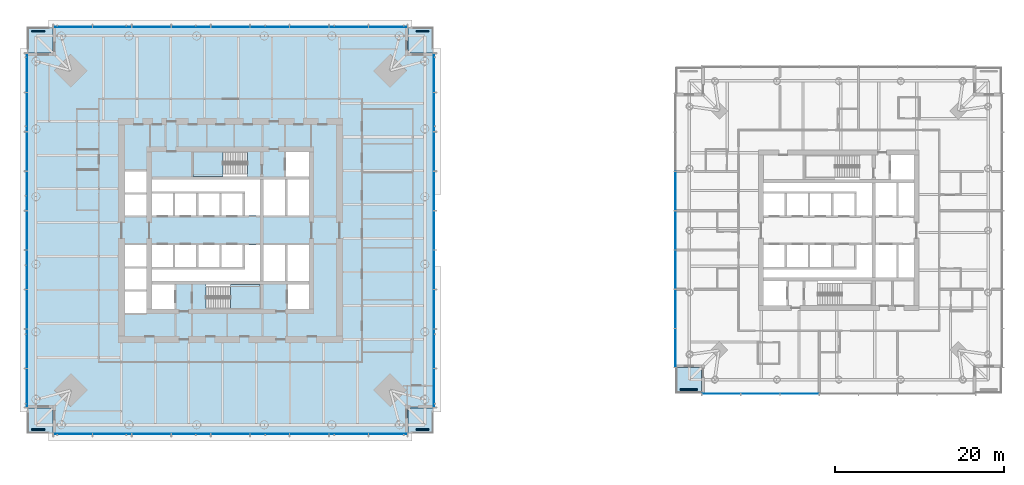
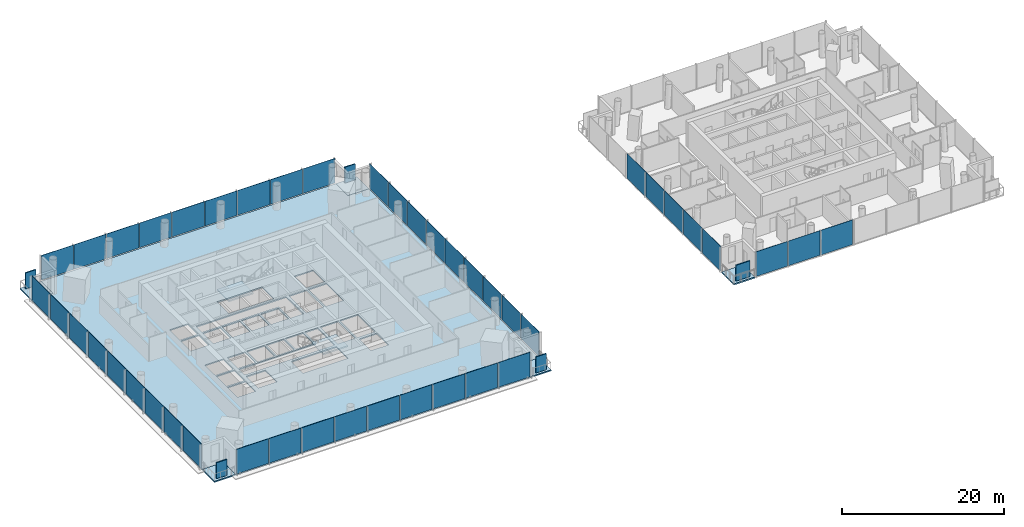
# One storey, part 7 of 26: 49 plates, 8 slabs, 8 elements without a shape of their own.
"""IFC4 building model written with IfcOpenShell, lengths in metres."""

from ifc_helpers import new_model, si_unit, direction, frame, origin, origin_2d, place, context, subcontext, project, spatial, polyline, rectangle, outline, extrude, material, layer, layer_set, type_object, element, aggregate, save


model = new_model("IFC4")

# Units and contexts
model_context = context("Model", 3, precision=1e-05, world=origin(), true_north=direction((0.0, 1.0)))
body_context = subcontext(model_context, "Body", "Model", "MODEL_VIEW")
ifc_project = project(units=[si_unit("LENGTHUNIT", "METRE"), si_unit("AREAUNIT", "SQUARE_METRE"), si_unit("VOLUMEUNIT", "CUBIC_METRE"), si_unit("PLANEANGLEUNIT", "RADIAN"), si_unit("MASSUNIT", "GRAM", prefix="KILO")], contexts=[model_context])

# Site, building, storey
site_placement = place(None, origin())
site = spatial("IfcSite", under=ifc_project, at=site_placement, CompositionType="ELEMENT")
building_placement = place(site_placement, origin())
building = spatial("IfcBuilding", under=site, at=building_placement, Name="Ostroluk Exchange", CompositionType="ELEMENT")
storey_placement = place(building_placement, frame((0.0, 0.0, 51.39990234375)))
storey = spatial("IfcBuildingStorey", under=building, at=storey_placement, Name="L12", CompositionType="ELEMENT", Elevation=51.39990234375)

# Curtain wall, plates
ifc_material_1 = material(Name="Laminated clear glass", Category="glass")
curtain_wall_type_1 = type_object("IfcCurtainWallType", Name="Hotel guest floor facade", PredefinedType="USERDEFINED", material=ifc_material_1)
curtain_wall_1_placement = place(storey_placement, origin())
curtain_wall_1 = element("IfcCurtainWall", 1, at=curtain_wall_1_placement, inside=storey, type_object=curtain_wall_type_1, Name="Hotel tower south facade L12", ObjectType="UNITISED CURTAIN WALL", PredefinedType="USERDEFINED")
ifc_material_2 = material(Name="Laminated clear glass", Category="glass")
ifc_layer_1 = layer(ifc_material_2, 0.0400390625)
ifc_layer_set_1 = layer_set([ifc_layer_1], Name="Acoustic laminated glazing 40")
plate_type_1 = type_object("IfcPlateType", Name="Acoustic laminated glazing 40", PredefinedType="CURTAIN_PANEL", material=ifc_layer_set_1)
plate_1_placement = place(storey_placement, frame((103.09130859375, 26.675048828125, 0.080078125), z_axis=(0.0, 0.0, 1.0), x_axis=(1.0, 0.0, 0.0)))
plate_1 = element("IfcPlate", 2, at=plate_1_placement, type_object=plate_type_1, Name="CW-H1 panel 1.1", PredefinedType="CURTAIN_PANEL", context=body_context, shape_type="SweptSolid", body=[
    extrude(rectangle(XDim=4.52294921875, YDim=0.0400390625, at=origin_2d()), origin(), (0.0, 0.0, 1.0), 3.719970703125),
])
plate_2_placement = place(storey_placement, frame((107.71435546875, 26.675048828125, 0.080078125), z_axis=(0.0, 0.0, 1.0), x_axis=(1.0, 0.0, 0.0)))
plate_2 = element("IfcPlate", 3, at=plate_2_placement, type_object=plate_type_1, Name="CW-H1 panel 2.1", PredefinedType="CURTAIN_PANEL", context=body_context, shape_type="SweptSolid", body=[
    extrude(rectangle(XDim=4.562744140625, YDim=0.0400390625, at=origin_2d()), origin(), (0.0, 0.0, 1.0), 3.719970703125),
])
plate_3_placement = place(storey_placement, frame((112.357177734375, 26.675048828125, 0.080078125), z_axis=(0.0, 0.0, 1.0), x_axis=(1.0, 0.0, 0.0)))
plate_3 = element("IfcPlate", 4, at=plate_3_placement, type_object=plate_type_1, Name="CW-H1 panel 3.1", PredefinedType="CURTAIN_PANEL", context=body_context, shape_type="SweptSolid", body=[
    extrude(rectangle(XDim=4.562744140625, YDim=0.0400390625, at=origin_2d()), origin(), (0.0, 0.0, 1.0), 3.719970703125),
])
aggregate(curtain_wall_1, [plate_1, plate_2, plate_3])

curtain_wall_2_placement = place(storey_placement, origin())
curtain_wall_2 = element("IfcCurtainWall", 5, at=curtain_wall_2_placement, inside=storey, type_object=curtain_wall_type_1, Name="Hotel tower west facade L12", ObjectType="UNITISED CURTAIN WALL", PredefinedType="USERDEFINED")
plate_4_placement = place(storey_placement, frame((97.675048828125, 50.642822265625, 0.080078125), z_axis=(0.0, 0.0, 1.0), x_axis=(0.0, -1.0, 0.0)))
plate_4 = element("IfcPlate", 6, at=plate_4_placement, type_object=plate_type_1, Name="CW-H1 panel 3.1", PredefinedType="CURTAIN_PANEL", context=body_context, shape_type="SweptSolid", body=[
    extrude(rectangle(XDim=4.562744140625, YDim=0.0400390625, at=origin_2d()), origin(), (0.0, 0.0, 1.0), 3.719970703125),
])
plate_5_placement = place(storey_placement, frame((97.675048828125, 46.0, 0.080078125), z_axis=(0.0, 0.0, 1.0), x_axis=(0.0, -1.0, 0.0)))
plate_5 = element("IfcPlate", 7, at=plate_5_placement, type_object=plate_type_1, Name="CW-H1 panel 4.1", PredefinedType="CURTAIN_PANEL", context=body_context, shape_type="SweptSolid", body=[
    extrude(rectangle(XDim=4.562744140625, YDim=0.0400390625, at=origin_2d()), origin(), (0.0, 0.0, 1.0), 3.719970703125),
])
plate_6_placement = place(storey_placement, frame((97.675048828125, 41.357177734375, 0.080078125), z_axis=(0.0, 0.0, 1.0), x_axis=(0.0, -1.0, 0.0)))
plate_6 = element("IfcPlate", 8, at=plate_6_placement, type_object=plate_type_1, Name="CW-H1 panel 5.1", PredefinedType="CURTAIN_PANEL", context=body_context, shape_type="SweptSolid", body=[
    extrude(rectangle(XDim=4.562744140625, YDim=0.0400390625, at=origin_2d()), origin(), (0.0, 0.0, 1.0), 3.719970703125),
])
plate_7_placement = place(storey_placement, frame((97.675048828125, 36.71435546875, 0.080078125), z_axis=(0.0, 0.0, 1.0), x_axis=(0.0, -1.0, 0.0)))
plate_7 = element("IfcPlate", 9, at=plate_7_placement, type_object=plate_type_1, Name="CW-H1 panel 6.1", PredefinedType="CURTAIN_PANEL", context=body_context, shape_type="SweptSolid", body=[
    extrude(rectangle(XDim=4.562744140625, YDim=0.0400390625, at=origin_2d()), origin(), (0.0, 0.0, 1.0), 3.719970703125),
])
plate_8_placement = place(storey_placement, frame((97.675048828125, 32.09130859375, 0.080078125), z_axis=(0.0, 0.0, 1.0), x_axis=(0.0, -1.0, 0.0)))
plate_8 = element("IfcPlate", 10, at=plate_8_placement, type_object=plate_type_1, Name="CW-H1 panel 7.1", PredefinedType="CURTAIN_PANEL", context=body_context, shape_type="SweptSolid", body=[
    extrude(rectangle(XDim=4.52294921875, YDim=0.0400390625, at=origin_2d()), origin(), (0.0, 0.0, 1.0), 3.719970703125),
])
aggregate(curtain_wall_2, [plate_4, plate_5, plate_6, plate_7, plate_8])

# Slabs
ifc_material_3 = material(Name="Concrete C35/45", Category="concrete")
ifc_layer_2 = layer(ifc_material_3, 0.179931640625)
ifc_layer_set_2 = layer_set([ifc_layer_2], Name="Balcony slab 180")
slab_type_1 = type_object("IfcSlabType", Name="Balcony slab 180", PredefinedType="USERDEFINED", material=ifc_layer_set_2)
slab_1_placement = place(storey_placement, frame((0.0, 0.0, -0.179931640625)))
element("IfcSlab", 11, at=slab_1_placement, inside=storey, type_object=slab_type_1, Name="Office tower SE corner balcony L12", ObjectType="BALCONY", PredefinedType="USERDEFINED", context=body_context, shape_type="SweptSolid", body=[
    extrude(outline(polyline([(66.0, 22.0), (69.0, 22.0), (69.0, 25.0), (66.0, 25.0), (66.0, 22.0)])), origin(), (0.0, 0.0, 1.0), 0.179931640625),
])
slab_2_placement = place(storey_placement, frame((0.0, 0.0, -0.179931640625)))
element("IfcSlab", 12, at=slab_2_placement, inside=storey, type_object=slab_type_1, Name="Office tower NE corner balcony L12", ObjectType="BALCONY", PredefinedType="USERDEFINED", context=body_context, shape_type="SweptSolid", body=[
    extrude(outline(polyline([(66.0, 67.0), (69.0, 67.0), (69.0, 70.0), (66.0, 70.0), (66.0, 67.0)])), origin(), (0.0, 0.0, 1.0), 0.179931640625),
])
slab_3_placement = place(storey_placement, frame((0.0, 0.0, -0.179931640625)))
element("IfcSlab", 13, at=slab_3_placement, inside=storey, type_object=slab_type_1, Name="Office tower NW corner balcony L12", ObjectType="BALCONY", PredefinedType="USERDEFINED", context=body_context, shape_type="SweptSolid", body=[
    extrude(outline(polyline([(21.0, 67.0), (24.0, 67.0), (24.0, 70.0), (21.0, 70.0), (21.0, 67.0)])), origin(), (0.0, 0.0, 1.0), 0.179931640625),
])
slab_4_placement = place(storey_placement, frame((0.0, 0.0, -0.179931640625)))
element("IfcSlab", 14, at=slab_4_placement, inside=storey, type_object=slab_type_1, Name="Office tower SW corner balcony L12", ObjectType="BALCONY", PredefinedType="USERDEFINED", context=body_context, shape_type="SweptSolid", body=[
    extrude(outline(polyline([(21.0, 22.0), (24.0, 22.0), (24.0, 25.0), (21.0, 25.0), (21.0, 22.0)])), origin(), (0.0, 0.0, 1.0), 0.179931640625),
])
ifc_material_4 = material(Name="Concrete C35/45", Category="concrete")
ifc_layer_3 = layer(ifc_material_4, 0.199951171875)
ifc_layer_set_3 = layer_set([ifc_layer_3], Name="Balcony slab 200")
slab_type_2 = type_object("IfcSlabType", Name="Balcony slab 200", PredefinedType="USERDEFINED", material=ifc_layer_set_3)
slab_5_placement = place(storey_placement, frame((0.0, 0.0, -0.199951171875)))
element("IfcSlab", 15, at=slab_5_placement, inside=storey, type_object=slab_type_2, Name="Hotel tower SW corner balcony L12", ObjectType="BALCONY", PredefinedType="USERDEFINED", context=body_context, shape_type="SweptSolid", body=[
    extrude(outline(polyline([(97.75, 26.75), (100.75, 26.75), (100.75, 29.75), (97.75, 29.75), (97.75, 26.75)])), origin(), (0.0, 0.0, 1.0), 0.199951171875),
])

# Plates
ifc_material_5 = material(Name="Steel S355 trellis with planting", Category="steel")
ifc_layer_4 = layer(ifc_material_5, 0.14990234375)
ifc_layer_set_4 = layer_set([ifc_layer_4], Name="Planted screen 150")
plate_type_2 = type_object("IfcPlateType", Name="Planted screen 150", PredefinedType="USERDEFINED", material=ifc_layer_set_4)
for number, where, z_axis, x_axis, name in (
    (16, (67.75, 22.425048828125, 0.000244140625), (0.0, 0.0, 1.0), (1.0, 0.0, 0.0), "Office tower SE planted screen L12"),
    (17, (67.75, 69.574951171875, 0.000244140625), (0.0, 0.0, 1.0), (1.0, 0.0, 0.0), "Office tower NE planted screen L12"),
    (18, (22.25, 69.574951171875, 0.000244140625), (0.0, 0.0, 1.0), (1.0, 0.0, 0.0), "Office tower NW planted screen L12"),
    (19, (22.25, 22.425048828125, 0.000244140625), (0.0, 0.0, 1.0), (1.0, 0.0, 0.0), "Office tower SW planted screen L12"),
):
    element("IfcPlate", number, at=place(storey_placement, frame(where, z_axis=z_axis, x_axis=x_axis)), inside=storey, type_object=plate_type_2, Name=name, ObjectType="PLANTED SCREEN", PredefinedType="USERDEFINED", context=body_context, shape_type="SweptSolid", body=[
        extrude(rectangle(XDim=1.5, YDim=0.14990234375, at=origin_2d()), origin(), (0.0, 0.0, 1.0), 2.39990234375),
    ])
plate_9_placement = place(storey_placement, frame((99.25, 27.175048828125, 0.000244140625), z_axis=(0.0, 0.0, 1.0), x_axis=(1.0, 0.0, 0.0)))
element("IfcPlate", 20, at=plate_9_placement, inside=storey, type_object=plate_type_2, Name="Hotel tower SW planted screen L12", ObjectType="PLANTED SCREEN", PredefinedType="USERDEFINED", context=body_context, shape_type="SweptSolid", body=[
    extrude(rectangle(XDim=2.0, YDim=0.14990234375, at=origin_2d()), origin(), (0.0, 0.0, 1.0), 2.39990234375),
])

# Stair, slab
ifc_material_6 = material(Name="Concrete C30/37", Category="concrete")
stair_type = type_object("IfcStairType", Name="Exit stair half turn 3800", PredefinedType="HALF_TURN_STAIR", material=ifc_material_6)
stair_1_placement = place(storey_placement, origin())
stair_1 = element("IfcStair", 21, at=stair_1_placement, inside=storey, type_object=stair_type, Name="Stair T1-S1 L12", PredefinedType="HALF_TURN_STAIR")
ifc_material_7 = material(Name="Concrete C30/37", Category="concrete")
ifc_layer_5 = layer(ifc_material_7, 0.199951171875)
ifc_layer_set_5 = layer_set([ifc_layer_5], Name="Stair landing 200")
slab_type_3 = type_object("IfcSlabType", Name="Stair landing 200", PredefinedType="LANDING", material=ifc_layer_set_5)
slab_6_placement = place(storey_placement, frame((0.0, 0.0, 1.7001953125)))
slab_6 = element("IfcSlab", 22, at=slab_6_placement, type_object=slab_type_3, Name="T1-S1 landing 1", PredefinedType="LANDING", context=body_context, shape_type="SweptSolid", body=[
    extrude(outline(polyline([(45.0, 36.699951171875), (45.0, 39.60009765625), (48.530029296875, 39.60009765625), (48.530029296875, 36.699951171875), (45.0, 36.699951171875)])), origin(), (0.0, 0.0, 1.0), 0.199951171875),
])
aggregate(stair_1, [slab_6])

stair_2_placement = place(storey_placement, origin())
stair_2 = element("IfcStair", 23, at=stair_2_placement, inside=storey, type_object=stair_type, Name="Stair T1-S2 L12", PredefinedType="HALF_TURN_STAIR")
slab_7_placement = place(storey_placement, frame((0.0, 0.0, 1.7001953125)))
slab_7 = element("IfcSlab", 24, at=slab_7_placement, type_object=slab_type_3, Name="T1-S2 landing 1", PredefinedType="LANDING", context=body_context, shape_type="SweptSolid", body=[
    extrude(outline(polyline([(44.1298828125, 52.39990234375), (44.1298828125, 55.300048828125), (40.60009765625, 55.300048828125), (40.60009765625, 52.39990234375), (44.1298828125, 52.39990234375)])), origin(), (0.0, 0.0, 1.0), 0.199951171875),
])
aggregate(stair_2, [slab_7])

# Slab
ifc_material_8 = material(Name="Concrete C35/45", Category="concrete")
ifc_layer_6 = layer(ifc_material_8, 0.179931640625)
ifc_layer_set_6 = layer_set([ifc_layer_6], Name="Tower floor slab 180 composite")
slab_type_4 = type_object("IfcSlabType", Name="Tower floor slab 180 composite", PredefinedType="FLOOR", material=ifc_layer_set_6)
slab_8_placement = place(storey_placement, frame((0.0, 0.0, -0.179931640625)))
element("IfcSlab", 25, at=slab_8_placement, inside=storey, type_object=slab_type_4, Name="Office tower floor slab L12", PredefinedType="FLOOR", context=body_context, shape_type="SweptSolid", body=[
    extrude(outline(polyline([(24.0, 22.0), (66.0, 22.0), (66.0, 25.0), (69.0, 25.0), (69.0, 67.0), (66.0, 67.0), (66.0, 70.0), (24.0, 70.0), (24.0, 67.0), (21.0, 67.0), (21.0, 25.0), (24.0, 25.0), (24.0, 22.0)]), holes=[polyline([(35.699951171875, 36.699951171875), (38.39990234375, 36.699951171875), (38.39990234375, 39.60009765625), (35.699951171875, 39.60009765625), (35.699951171875, 36.699951171875)]), polyline([(42.110107421875, 36.699951171875), (48.530029296875, 36.699951171875), (48.530029296875, 39.60009765625), (42.110107421875, 39.60009765625), (42.110107421875, 36.699951171875)]), polyline([(51.800048828125, 36.699951171875), (54.300048828125, 36.699951171875), (54.300048828125, 39.60009765625), (51.800048828125, 39.60009765625), (51.800048828125, 36.699951171875)]), polyline([(40.60009765625, 52.39990234375), (47.02001953125, 52.39990234375), (47.02001953125, 55.300048828125), (40.60009765625, 55.300048828125), (40.60009765625, 52.39990234375)]), polyline([(51.60009765625, 52.39990234375), (54.300048828125, 52.39990234375), (54.300048828125, 55.300048828125), (51.60009765625, 55.300048828125), (51.60009765625, 52.39990234375)]), polyline([(35.699951171875, 47.75), (38.199951171875, 47.75), (38.199951171875, 50.35009765625), (35.699951171875, 50.35009765625), (35.699951171875, 47.75)]), polyline([(38.449951171875, 47.75), (40.949951171875, 47.75), (40.949951171875, 50.35009765625), (38.449951171875, 50.35009765625), (38.449951171875, 47.75)]), polyline([(41.199951171875, 47.75), (43.699951171875, 47.75), (43.699951171875, 50.35009765625), (41.199951171875, 50.35009765625), (41.199951171875, 47.75)]), polyline([(43.949951171875, 47.75), (46.449951171875, 47.75), (46.449951171875, 50.35009765625), (43.949951171875, 50.35009765625), (43.949951171875, 47.75)]), polyline([(35.699951171875, 41.64990234375), (38.199951171875, 41.64990234375), (38.199951171875, 44.25), (35.699951171875, 44.25), (35.699951171875, 41.64990234375)]), polyline([(38.449951171875, 41.64990234375), (40.949951171875, 41.64990234375), (40.949951171875, 44.25), (38.449951171875, 44.25), (38.449951171875, 41.64990234375)]), polyline([(41.199951171875, 41.64990234375), (43.699951171875, 41.64990234375), (43.699951171875, 44.25), (41.199951171875, 44.25), (41.199951171875, 41.64990234375)]), polyline([(43.949951171875, 41.64990234375), (46.449951171875, 41.64990234375), (46.449951171875, 44.25), (43.949951171875, 44.25), (43.949951171875, 41.64990234375)]), polyline([(48.929931640625, 47.75), (51.489990234375, 47.75), (51.489990234375, 52.0), (48.929931640625, 52.0), (48.929931640625, 47.75)]), polyline([(51.739990234375, 47.75), (54.300048828125, 47.75), (54.300048828125, 52.0), (51.739990234375, 52.0), (51.739990234375, 47.75)]), polyline([(48.929931640625, 40.0), (51.489990234375, 40.0), (51.489990234375, 44.25), (48.929931640625, 44.25), (48.929931640625, 40.0)]), polyline([(51.739990234375, 40.0), (54.300048828125, 40.0), (54.300048828125, 44.25), (51.739990234375, 44.25), (51.739990234375, 40.0)]), polyline([(48.530029296875, 52.0), (48.530029296875, 47.75), (46.699951171875, 47.75), (46.699951171875, 50.60009765625), (35.699951171875, 50.60009765625), (35.699951171875, 52.0), (48.530029296875, 52.0)]), polyline([(35.699951171875, 40.0), (35.699951171875, 41.39990234375), (46.699951171875, 41.39990234375), (46.699951171875, 44.25), (48.530029296875, 44.25), (48.530029296875, 40.0), (35.699951171875, 40.0)]), polyline([(32.5, 36.25), (35.10009765625, 36.25), (35.10009765625, 38.75), (32.5, 38.75), (32.5, 36.25)]), polyline([(32.5, 39.0), (35.10009765625, 39.0), (35.10009765625, 41.5), (32.5, 41.5), (32.5, 39.0)]), polyline([(32.5, 41.75), (35.10009765625, 41.75), (35.10009765625, 44.25), (32.5, 44.25), (32.5, 41.75)]), polyline([(32.5, 47.75), (35.10009765625, 47.75), (35.10009765625, 50.25), (32.5, 50.25), (32.5, 47.75)]), polyline([(32.5, 50.5), (35.10009765625, 50.5), (35.10009765625, 53.0), (32.5, 53.0), (32.5, 50.5)])]), origin(), (0.0, 0.0, 1.0), 0.179931640625),
])

# Curtain wall, plates
ifc_material_9 = material(Name="Laminated clear glass", Category="glass")
curtain_wall_type_2 = type_object("IfcCurtainWallType", Name="Office tower facade", PredefinedType="USERDEFINED", material=ifc_material_9)
curtain_wall_3_placement = place(storey_placement, origin())
curtain_wall_3 = element("IfcCurtainWall", 26, at=curtain_wall_3_placement, inside=storey, type_object=curtain_wall_type_2, Name="Office tower south facade L12", ObjectType="UNITISED CURTAIN WALL", PredefinedType="USERDEFINED")
ifc_material_10 = material(Name="Laminated clear glass", Category="glass")
ifc_layer_7 = layer(ifc_material_10, 0.0439453125)
ifc_layer_set_7 = layer_set([ifc_layer_7], Name="Triple laminated clear glazing 44")
plate_type_3 = type_object("IfcPlateType", Name="Triple laminated clear glazing 44", PredefinedType="CURTAIN_PANEL", material=ifc_layer_set_7)
plate_10_placement = place(storey_placement, frame((26.353271484375, 21.925048828125, 0.080078125), z_axis=(0.0, 0.0, 1.0), x_axis=(1.0, 0.0, 0.0)))
plate_10 = element("IfcPlate", 27, at=plate_10_placement, type_object=plate_type_3, Name="CW-O1 panel 1.1", PredefinedType="CURTAIN_PANEL", context=body_context, shape_type="SweptSolid", body=[
    extrude(rectangle(XDim=4.546630859375, YDim=0.0439453125, at=origin_2d()), origin(), (0.0, 0.0, 1.0), 3.719970703125),
])
plate_11_placement = place(storey_placement, frame((31.0, 21.925048828125, 0.080078125), z_axis=(0.0, 0.0, 1.0), x_axis=(1.0, 0.0, 0.0)))
plate_11 = element("IfcPlate", 28, at=plate_11_placement, type_object=plate_type_3, Name="CW-O1 panel 2.1", PredefinedType="CURTAIN_PANEL", context=body_context, shape_type="SweptSolid", body=[
    extrude(rectangle(XDim=4.586669921875, YDim=0.0439453125, at=origin_2d()), origin(), (0.0, 0.0, 1.0), 3.719970703125),
])
plate_12_placement = place(storey_placement, frame((35.666748046875, 21.925048828125, 0.080078125), z_axis=(0.0, 0.0, 1.0), x_axis=(1.0, 0.0, 0.0)))
plate_12 = element("IfcPlate", 29, at=plate_12_placement, type_object=plate_type_3, Name="CW-O1 panel 3.1", PredefinedType="CURTAIN_PANEL", context=body_context, shape_type="SweptSolid", body=[
    extrude(rectangle(XDim=4.586669921875, YDim=0.0439453125, at=origin_2d()), origin(), (0.0, 0.0, 1.0), 3.719970703125),
])
plate_13_placement = place(storey_placement, frame((40.333251953125, 21.925048828125, 0.080078125), z_axis=(0.0, 0.0, 1.0), x_axis=(1.0, 0.0, 0.0)))
plate_13 = element("IfcPlate", 30, at=plate_13_placement, type_object=plate_type_3, Name="CW-O1 panel 4.1", PredefinedType="CURTAIN_PANEL", context=body_context, shape_type="SweptSolid", body=[
    extrude(rectangle(XDim=4.586669921875, YDim=0.0439453125, at=origin_2d()), origin(), (0.0, 0.0, 1.0), 3.719970703125),
])
plate_14_placement = place(storey_placement, frame((45.0, 21.925048828125, 0.080078125), z_axis=(0.0, 0.0, 1.0), x_axis=(1.0, 0.0, 0.0)))
plate_14 = element("IfcPlate", 31, at=plate_14_placement, type_object=plate_type_3, Name="CW-O1 panel 5.1", PredefinedType="CURTAIN_PANEL", context=body_context, shape_type="SweptSolid", body=[
    extrude(rectangle(XDim=4.586669921875, YDim=0.0439453125, at=origin_2d()), origin(), (0.0, 0.0, 1.0), 3.719970703125),
])
plate_15_placement = place(storey_placement, frame((49.666748046875, 21.925048828125, 0.080078125), z_axis=(0.0, 0.0, 1.0), x_axis=(1.0, 0.0, 0.0)))
plate_15 = element("IfcPlate", 32, at=plate_15_placement, type_object=plate_type_3, Name="CW-O1 panel 6.1", PredefinedType="CURTAIN_PANEL", context=body_context, shape_type="SweptSolid", body=[
    extrude(rectangle(XDim=4.586669921875, YDim=0.0439453125, at=origin_2d()), origin(), (0.0, 0.0, 1.0), 3.719970703125),
])
plate_16_placement = place(storey_placement, frame((54.333251953125, 21.925048828125, 0.080078125), z_axis=(0.0, 0.0, 1.0), x_axis=(1.0, 0.0, 0.0)))
plate_16 = element("IfcPlate", 33, at=plate_16_placement, type_object=plate_type_3, Name="CW-O1 panel 7.1", PredefinedType="CURTAIN_PANEL", context=body_context, shape_type="SweptSolid", body=[
    extrude(rectangle(XDim=4.586669921875, YDim=0.0439453125, at=origin_2d()), origin(), (0.0, 0.0, 1.0), 3.719970703125),
])
plate_17_placement = place(storey_placement, frame((59.0, 21.925048828125, 0.080078125), z_axis=(0.0, 0.0, 1.0), x_axis=(1.0, 0.0, 0.0)))
plate_17 = element("IfcPlate", 34, at=plate_17_placement, type_object=plate_type_3, Name="CW-O1 panel 8.1", PredefinedType="CURTAIN_PANEL", context=body_context, shape_type="SweptSolid", body=[
    extrude(rectangle(XDim=4.586669921875, YDim=0.0439453125, at=origin_2d()), origin(), (0.0, 0.0, 1.0), 3.719970703125),
])
plate_18_placement = place(storey_placement, frame((63.646728515625, 21.925048828125, 0.080078125), z_axis=(0.0, 0.0, 1.0), x_axis=(1.0, 0.0, 0.0)))
plate_18 = element("IfcPlate", 35, at=plate_18_placement, type_object=plate_type_3, Name="CW-O1 panel 9.1", PredefinedType="CURTAIN_PANEL", context=body_context, shape_type="SweptSolid", body=[
    extrude(rectangle(XDim=4.546630859375, YDim=0.0439453125, at=origin_2d()), origin(), (0.0, 0.0, 1.0), 3.719970703125),
])
aggregate(curtain_wall_3, [plate_10, plate_11, plate_12, plate_13, plate_14, plate_15, plate_16, plate_17, plate_18])

curtain_wall_4_placement = place(storey_placement, origin())
curtain_wall_4 = element("IfcCurtainWall", 36, at=curtain_wall_4_placement, inside=storey, type_object=curtain_wall_type_2, Name="Office tower east facade L12", ObjectType="UNITISED CURTAIN WALL", PredefinedType="USERDEFINED")
plate_19_placement = place(storey_placement, frame((69.074951171875, 27.353271484375, 0.080078125), z_axis=(0.0, 0.0, 1.0), x_axis=(0.0, 1.0, 0.0)))
plate_19 = element("IfcPlate", 37, at=plate_19_placement, type_object=plate_type_3, Name="CW-O1 panel 1.1", PredefinedType="CURTAIN_PANEL", context=body_context, shape_type="SweptSolid", body=[
    extrude(rectangle(XDim=4.546630859375, YDim=0.0439453125, at=origin_2d()), origin(), (0.0, 0.0, 1.0), 3.719970703125),
])
plate_20_placement = place(storey_placement, frame((69.074951171875, 32.0, 0.080078125), z_axis=(0.0, 0.0, 1.0), x_axis=(0.0, 1.0, 0.0)))
plate_20 = element("IfcPlate", 38, at=plate_20_placement, type_object=plate_type_3, Name="CW-O1 panel 2.1", PredefinedType="CURTAIN_PANEL", context=body_context, shape_type="SweptSolid", body=[
    extrude(rectangle(XDim=4.586669921875, YDim=0.0439453125, at=origin_2d()), origin(), (0.0, 0.0, 1.0), 3.719970703125),
])
plate_21_placement = place(storey_placement, frame((69.074951171875, 36.666748046875, 0.080078125), z_axis=(0.0, 0.0, 1.0), x_axis=(0.0, 1.0, 0.0)))
plate_21 = element("IfcPlate", 39, at=plate_21_placement, type_object=plate_type_3, Name="CW-O1 panel 3.1", PredefinedType="CURTAIN_PANEL", context=body_context, shape_type="SweptSolid", body=[
    extrude(rectangle(XDim=4.586669921875, YDim=0.0439453125, at=origin_2d()), origin(), (0.0, 0.0, 1.0), 3.719970703125),
])
plate_22_placement = place(storey_placement, frame((69.074951171875, 41.333251953125, 0.080078125), z_axis=(0.0, 0.0, 1.0), x_axis=(0.0, 1.0, 0.0)))
plate_22 = element("IfcPlate", 40, at=plate_22_placement, type_object=plate_type_3, Name="CW-O1 panel 4.1", PredefinedType="CURTAIN_PANEL", context=body_context, shape_type="SweptSolid", body=[
    extrude(rectangle(XDim=4.586669921875, YDim=0.0439453125, at=origin_2d()), origin(), (0.0, 0.0, 1.0), 3.719970703125),
])
plate_23_placement = place(storey_placement, frame((69.074951171875, 46.0, 0.080078125), z_axis=(0.0, 0.0, 1.0), x_axis=(0.0, 1.0, 0.0)))
plate_23 = element("IfcPlate", 41, at=plate_23_placement, type_object=plate_type_3, Name="CW-O1 panel 5.1", PredefinedType="CURTAIN_PANEL", context=body_context, shape_type="SweptSolid", body=[
    extrude(rectangle(XDim=4.586669921875, YDim=0.0439453125, at=origin_2d()), origin(), (0.0, 0.0, 1.0), 3.719970703125),
])
plate_24_placement = place(storey_placement, frame((69.074951171875, 50.666748046875, 0.080078125), z_axis=(0.0, 0.0, 1.0), x_axis=(0.0, 1.0, 0.0)))
plate_24 = element("IfcPlate", 42, at=plate_24_placement, type_object=plate_type_3, Name="CW-O1 panel 6.1", PredefinedType="CURTAIN_PANEL", context=body_context, shape_type="SweptSolid", body=[
    extrude(rectangle(XDim=4.586669921875, YDim=0.0439453125, at=origin_2d()), origin(), (0.0, 0.0, 1.0), 3.719970703125),
])
plate_25_placement = place(storey_placement, frame((69.074951171875, 55.333251953125, 0.080078125), z_axis=(0.0, 0.0, 1.0), x_axis=(0.0, 1.0, 0.0)))
plate_25 = element("IfcPlate", 43, at=plate_25_placement, type_object=plate_type_3, Name="CW-O1 panel 7.1", PredefinedType="CURTAIN_PANEL", context=body_context, shape_type="SweptSolid", body=[
    extrude(rectangle(XDim=4.586669921875, YDim=0.0439453125, at=origin_2d()), origin(), (0.0, 0.0, 1.0), 3.719970703125),
])
plate_26_placement = place(storey_placement, frame((69.074951171875, 60.0, 0.080078125), z_axis=(0.0, 0.0, 1.0), x_axis=(0.0, 1.0, 0.0)))
plate_26 = element("IfcPlate", 44, at=plate_26_placement, type_object=plate_type_3, Name="CW-O1 panel 8.1", PredefinedType="CURTAIN_PANEL", context=body_context, shape_type="SweptSolid", body=[
    extrude(rectangle(XDim=4.586669921875, YDim=0.0439453125, at=origin_2d()), origin(), (0.0, 0.0, 1.0), 3.719970703125),
])
plate_27_placement = place(storey_placement, frame((69.074951171875, 64.646728515625, 0.080078125), z_axis=(0.0, 0.0, 1.0), x_axis=(0.0, 1.0, 0.0)))
plate_27 = element("IfcPlate", 45, at=plate_27_placement, type_object=plate_type_3, Name="CW-O1 panel 9.1", PredefinedType="CURTAIN_PANEL", context=body_context, shape_type="SweptSolid", body=[
    extrude(rectangle(XDim=4.546630859375, YDim=0.0439453125, at=origin_2d()), origin(), (0.0, 0.0, 1.0), 3.719970703125),
])
aggregate(curtain_wall_4, [plate_19, plate_20, plate_21, plate_22, plate_23, plate_24, plate_25, plate_26, plate_27])

curtain_wall_5_placement = place(storey_placement, origin())
curtain_wall_5 = element("IfcCurtainWall", 46, at=curtain_wall_5_placement, inside=storey, type_object=curtain_wall_type_2, Name="Office tower north facade L12", ObjectType="UNITISED CURTAIN WALL", PredefinedType="USERDEFINED")
plate_28_placement = place(storey_placement, frame((63.646728515625, 70.074951171875, 0.080078125), z_axis=(0.0, 0.0, 1.0), x_axis=(-1.0, 0.0, 0.0)))
plate_28 = element("IfcPlate", 47, at=plate_28_placement, type_object=plate_type_3, Name="CW-O1 panel 1.1", PredefinedType="CURTAIN_PANEL", context=body_context, shape_type="SweptSolid", body=[
    extrude(rectangle(XDim=4.546630859375, YDim=0.0439453125, at=origin_2d()), origin(), (0.0, 0.0, 1.0), 3.719970703125),
])
plate_29_placement = place(storey_placement, frame((59.0, 70.074951171875, 0.080078125), z_axis=(0.0, 0.0, 1.0), x_axis=(-1.0, 0.0, 0.0)))
plate_29 = element("IfcPlate", 48, at=plate_29_placement, type_object=plate_type_3, Name="CW-O1 panel 2.1", PredefinedType="CURTAIN_PANEL", context=body_context, shape_type="SweptSolid", body=[
    extrude(rectangle(XDim=4.586669921875, YDim=0.0439453125, at=origin_2d()), origin(), (0.0, 0.0, 1.0), 3.719970703125),
])
plate_30_placement = place(storey_placement, frame((54.333251953125, 70.074951171875, 0.080078125), z_axis=(0.0, 0.0, 1.0), x_axis=(-1.0, 0.0, 0.0)))
plate_30 = element("IfcPlate", 49, at=plate_30_placement, type_object=plate_type_3, Name="CW-O1 panel 3.1", PredefinedType="CURTAIN_PANEL", context=body_context, shape_type="SweptSolid", body=[
    extrude(rectangle(XDim=4.586669921875, YDim=0.0439453125, at=origin_2d()), origin(), (0.0, 0.0, 1.0), 3.719970703125),
])
plate_31_placement = place(storey_placement, frame((49.666748046875, 70.074951171875, 0.080078125), z_axis=(0.0, 0.0, 1.0), x_axis=(-1.0, 0.0, 0.0)))
plate_31 = element("IfcPlate", 50, at=plate_31_placement, type_object=plate_type_3, Name="CW-O1 panel 4.1", PredefinedType="CURTAIN_PANEL", context=body_context, shape_type="SweptSolid", body=[
    extrude(rectangle(XDim=4.586669921875, YDim=0.0439453125, at=origin_2d()), origin(), (0.0, 0.0, 1.0), 3.719970703125),
])
plate_32_placement = place(storey_placement, frame((45.0, 70.074951171875, 0.080078125), z_axis=(0.0, 0.0, 1.0), x_axis=(-1.0, 0.0, 0.0)))
plate_32 = element("IfcPlate", 51, at=plate_32_placement, type_object=plate_type_3, Name="CW-O1 panel 5.1", PredefinedType="CURTAIN_PANEL", context=body_context, shape_type="SweptSolid", body=[
    extrude(rectangle(XDim=4.586669921875, YDim=0.0439453125, at=origin_2d()), origin(), (0.0, 0.0, 1.0), 3.719970703125),
])
plate_33_placement = place(storey_placement, frame((40.333251953125, 70.074951171875, 0.080078125), z_axis=(0.0, 0.0, 1.0), x_axis=(-1.0, 0.0, 0.0)))
plate_33 = element("IfcPlate", 52, at=plate_33_placement, type_object=plate_type_3, Name="CW-O1 panel 6.1", PredefinedType="CURTAIN_PANEL", context=body_context, shape_type="SweptSolid", body=[
    extrude(rectangle(XDim=4.586669921875, YDim=0.0439453125, at=origin_2d()), origin(), (0.0, 0.0, 1.0), 3.719970703125),
])
plate_34_placement = place(storey_placement, frame((35.666748046875, 70.074951171875, 0.080078125), z_axis=(0.0, 0.0, 1.0), x_axis=(-1.0, 0.0, 0.0)))
plate_34 = element("IfcPlate", 53, at=plate_34_placement, type_object=plate_type_3, Name="CW-O1 panel 7.1", PredefinedType="CURTAIN_PANEL", context=body_context, shape_type="SweptSolid", body=[
    extrude(rectangle(XDim=4.586669921875, YDim=0.0439453125, at=origin_2d()), origin(), (0.0, 0.0, 1.0), 3.719970703125),
])
plate_35_placement = place(storey_placement, frame((31.0, 70.074951171875, 0.080078125), z_axis=(0.0, 0.0, 1.0), x_axis=(-1.0, 0.0, 0.0)))
plate_35 = element("IfcPlate", 54, at=plate_35_placement, type_object=plate_type_3, Name="CW-O1 panel 8.1", PredefinedType="CURTAIN_PANEL", context=body_context, shape_type="SweptSolid", body=[
    extrude(rectangle(XDim=4.586669921875, YDim=0.0439453125, at=origin_2d()), origin(), (0.0, 0.0, 1.0), 3.719970703125),
])
plate_36_placement = place(storey_placement, frame((26.353271484375, 70.074951171875, 0.080078125), z_axis=(0.0, 0.0, 1.0), x_axis=(-1.0, 0.0, 0.0)))
plate_36 = element("IfcPlate", 55, at=plate_36_placement, type_object=plate_type_3, Name="CW-O1 panel 9.1", PredefinedType="CURTAIN_PANEL", context=body_context, shape_type="SweptSolid", body=[
    extrude(rectangle(XDim=4.546630859375, YDim=0.0439453125, at=origin_2d()), origin(), (0.0, 0.0, 1.0), 3.719970703125),
])
aggregate(curtain_wall_5, [plate_28, plate_29, plate_30, plate_31, plate_32, plate_33, plate_34, plate_35, plate_36])

curtain_wall_6_placement = place(storey_placement, origin())
curtain_wall_6 = element("IfcCurtainWall", 56, at=curtain_wall_6_placement, inside=storey, type_object=curtain_wall_type_2, Name="Office tower west facade L12", ObjectType="UNITISED CURTAIN WALL", PredefinedType="USERDEFINED")
plate_37_placement = place(storey_placement, frame((20.925048828125, 64.646728515625, 0.080078125), z_axis=(0.0, 0.0, 1.0), x_axis=(0.0, -1.0, 0.0)))
plate_37 = element("IfcPlate", 57, at=plate_37_placement, type_object=plate_type_3, Name="CW-O1 panel 1.1", PredefinedType="CURTAIN_PANEL", context=body_context, shape_type="SweptSolid", body=[
    extrude(rectangle(XDim=4.546630859375, YDim=0.0439453125, at=origin_2d()), origin(), (0.0, 0.0, 1.0), 3.719970703125),
])
plate_38_placement = place(storey_placement, frame((20.925048828125, 60.0, 0.080078125), z_axis=(0.0, 0.0, 1.0), x_axis=(0.0, -1.0, 0.0)))
plate_38 = element("IfcPlate", 58, at=plate_38_placement, type_object=plate_type_3, Name="CW-O1 panel 2.1", PredefinedType="CURTAIN_PANEL", context=body_context, shape_type="SweptSolid", body=[
    extrude(rectangle(XDim=4.586669921875, YDim=0.0439453125, at=origin_2d()), origin(), (0.0, 0.0, 1.0), 3.719970703125),
])
plate_39_placement = place(storey_placement, frame((20.925048828125, 55.333251953125, 0.080078125), z_axis=(0.0, 0.0, 1.0), x_axis=(0.0, -1.0, 0.0)))
plate_39 = element("IfcPlate", 59, at=plate_39_placement, type_object=plate_type_3, Name="CW-O1 panel 3.1", PredefinedType="CURTAIN_PANEL", context=body_context, shape_type="SweptSolid", body=[
    extrude(rectangle(XDim=4.586669921875, YDim=0.0439453125, at=origin_2d()), origin(), (0.0, 0.0, 1.0), 3.719970703125),
])
plate_40_placement = place(storey_placement, frame((20.925048828125, 50.666748046875, 0.080078125), z_axis=(0.0, 0.0, 1.0), x_axis=(0.0, -1.0, 0.0)))
plate_40 = element("IfcPlate", 60, at=plate_40_placement, type_object=plate_type_3, Name="CW-O1 panel 4.1", PredefinedType="CURTAIN_PANEL", context=body_context, shape_type="SweptSolid", body=[
    extrude(rectangle(XDim=4.586669921875, YDim=0.0439453125, at=origin_2d()), origin(), (0.0, 0.0, 1.0), 3.719970703125),
])
plate_41_placement = place(storey_placement, frame((20.925048828125, 46.0, 0.080078125), z_axis=(0.0, 0.0, 1.0), x_axis=(0.0, -1.0, 0.0)))
plate_41 = element("IfcPlate", 61, at=plate_41_placement, type_object=plate_type_3, Name="CW-O1 panel 5.1", PredefinedType="CURTAIN_PANEL", context=body_context, shape_type="SweptSolid", body=[
    extrude(rectangle(XDim=4.586669921875, YDim=0.0439453125, at=origin_2d()), origin(), (0.0, 0.0, 1.0), 3.719970703125),
])
plate_42_placement = place(storey_placement, frame((20.925048828125, 41.333251953125, 0.080078125), z_axis=(0.0, 0.0, 1.0), x_axis=(0.0, -1.0, 0.0)))
plate_42 = element("IfcPlate", 62, at=plate_42_placement, type_object=plate_type_3, Name="CW-O1 panel 6.1", PredefinedType="CURTAIN_PANEL", context=body_context, shape_type="SweptSolid", body=[
    extrude(rectangle(XDim=4.586669921875, YDim=0.0439453125, at=origin_2d()), origin(), (0.0, 0.0, 1.0), 3.719970703125),
])
plate_43_placement = place(storey_placement, frame((20.925048828125, 36.666748046875, 0.080078125), z_axis=(0.0, 0.0, 1.0), x_axis=(0.0, -1.0, 0.0)))
plate_43 = element("IfcPlate", 63, at=plate_43_placement, type_object=plate_type_3, Name="CW-O1 panel 7.1", PredefinedType="CURTAIN_PANEL", context=body_context, shape_type="SweptSolid", body=[
    extrude(rectangle(XDim=4.586669921875, YDim=0.0439453125, at=origin_2d()), origin(), (0.0, 0.0, 1.0), 3.719970703125),
])
plate_44_placement = place(storey_placement, frame((20.925048828125, 32.0, 0.080078125), z_axis=(0.0, 0.0, 1.0), x_axis=(0.0, -1.0, 0.0)))
plate_44 = element("IfcPlate", 64, at=plate_44_placement, type_object=plate_type_3, Name="CW-O1 panel 8.1", PredefinedType="CURTAIN_PANEL", context=body_context, shape_type="SweptSolid", body=[
    extrude(rectangle(XDim=4.586669921875, YDim=0.0439453125, at=origin_2d()), origin(), (0.0, 0.0, 1.0), 3.719970703125),
])
plate_45_placement = place(storey_placement, frame((20.925048828125, 27.353271484375, 0.080078125), z_axis=(0.0, 0.0, 1.0), x_axis=(0.0, -1.0, 0.0)))
plate_45 = element("IfcPlate", 65, at=plate_45_placement, type_object=plate_type_3, Name="CW-O1 panel 9.1", PredefinedType="CURTAIN_PANEL", context=body_context, shape_type="SweptSolid", body=[
    extrude(rectangle(XDim=4.546630859375, YDim=0.0439453125, at=origin_2d()), origin(), (0.0, 0.0, 1.0), 3.719970703125),
])
aggregate(curtain_wall_6, [plate_37, plate_38, plate_39, plate_40, plate_41, plate_42, plate_43, plate_44, plate_45])

save(model, "model.ifc")
